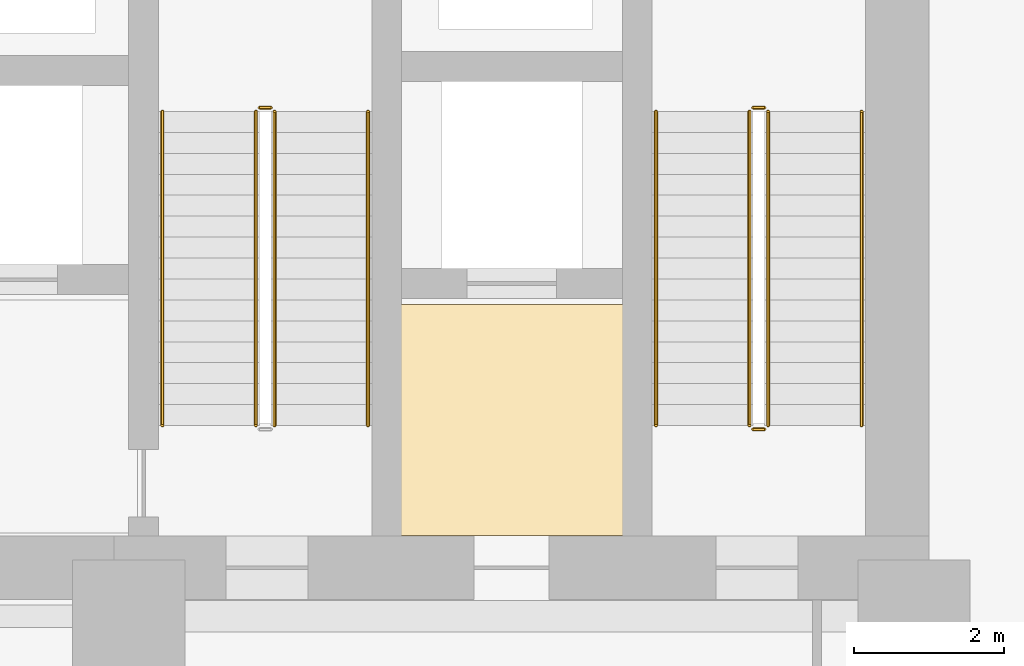
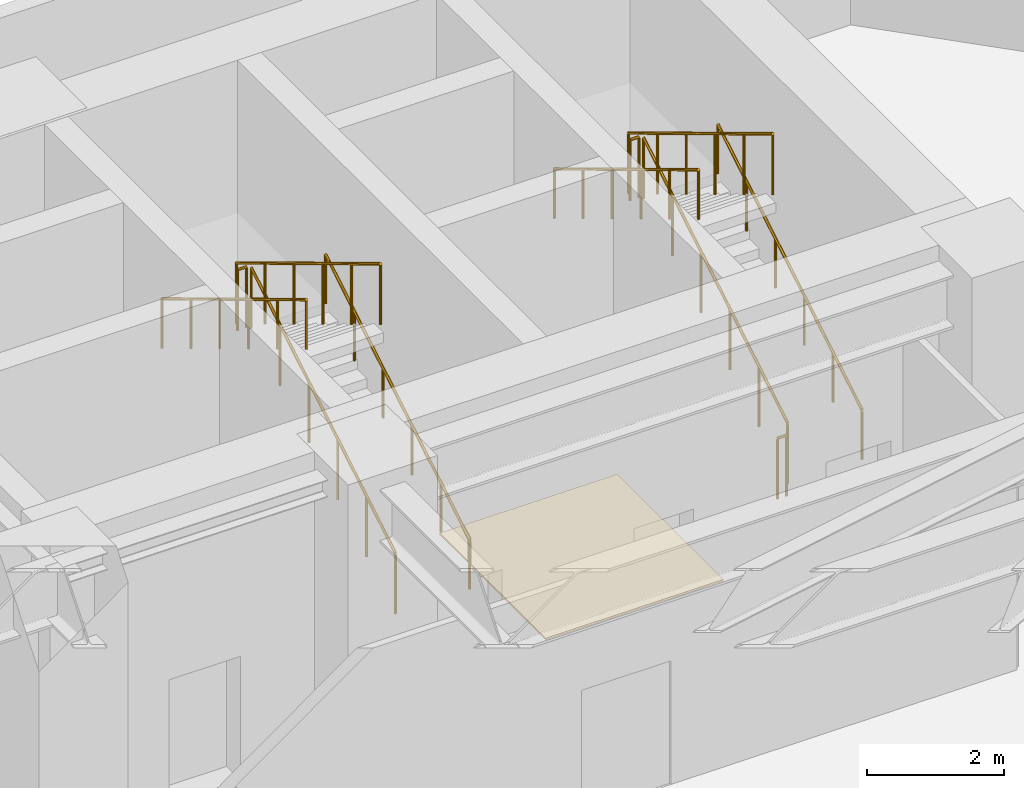
# One storey, part 29 of 29: 11 railings, 1 covering.
"""IFC4 building model written with IfcOpenShell, lengths in metres."""

from ifc_helpers import new_model, si_unit, direction, frame, origin, origin_2d, place, context, subcontext, project, spatial, polyline, circle, outline, extrude, material, layer, layer_set, type_object, element, save


model = new_model("IFC4")

# Units and contexts
model_context = context("Model", 3, precision=1e-05, world=origin(), true_north=direction((0.0, 1.0)))
body_context = subcontext(model_context, "Body", "Model", "MODEL_VIEW")
ifc_project = project(units=[si_unit("LENGTHUNIT", "METRE"), si_unit("AREAUNIT", "SQUARE_METRE"), si_unit("VOLUMEUNIT", "CUBIC_METRE"), si_unit("PLANEANGLEUNIT", "RADIAN"), si_unit("MASSUNIT", "GRAM", prefix="KILO")], contexts=[model_context])

# Site, building, storey
site_placement = place(None, origin())
site = spatial("IfcSite", under=ifc_project, at=site_placement, CompositionType="ELEMENT")
building_placement = place(site_placement, origin())
building = spatial("IfcBuilding", under=site, at=building_placement, Name="Kravanh Interchange Tower", CompositionType="ELEMENT")
storey_placement = place(building_placement, frame((0.0, 0.0, 5.39990234375)))
storey = spatial("IfcBuildingStorey", under=building, at=storey_placement, Name="L01", CompositionType="ELEMENT", Elevation=5.39990234375)

# Covering
ifc_material_1 = material(Name="Cementitious Terrazzo Tile")
ifc_layer_1 = layer(ifc_material_1, 0.030029296875)
ifc_layer_set_1 = layer_set([ifc_layer_1], Name="Honed Terrazzo Lobby Flooring 30mm")
covering_type = type_object("IfcCoveringType", Name="Honed Terrazzo Lobby Flooring 30mm", PredefinedType="FLOORING", material=ifc_layer_set_1)
covering_placement = place(storey_placement, origin())
element("IfcCovering", 1, at=covering_placement, inside=storey, type_object=covering_type, Name="L01 Service Lift Lobby Floor Finish", PredefinedType="FLOORING", context=body_context, shape_type="SweptSolid", body=[
    extrude(outline(polyline([(59.6298828125, 41.52001953125), (62.6201171875, 41.52001953125), (62.6201171875, 38.429931640625), (59.6298828125, 38.429931640625), (59.6298828125, 41.52001953125)])), origin(), (0.0, 0.0, 1.0), 0.030029296875),
])

# Railings
ifc_material_2 = material(Name="Structural Steel S355", Category="steel")
ifc_layer_2 = layer(ifc_material_2, 0.050048828125)
ifc_layer_set_2 = layer_set([ifc_layer_2], Name="Stair Well Guardrail Structural Steel S355 1100mm")
railing_type_1 = type_object("IfcRailingType", Name="Stair Well Guardrail Structural Steel S355 1100mm", PredefinedType="GUARDRAIL", material=ifc_layer_set_2)
railing_1_placement = place(storey_placement, frame((64.550048828125, 39.89990234375, 0.1689453125)))
element("IfcRailing", 2, at=railing_1_placement, inside=storey, type_object=railing_type_1, Name="L01 ST1 stair guard 1", PredefinedType="GUARDRAIL", context=body_context, shape_type="SweptSolid", body=[
    extrude(circle(Radius=0.02392578125, at=origin_2d()), frame((0.0, 0.0, 1.076171875), z_axis=(0.0, 0.856489757249, 0.516164020179), x_axis=(-1.0, 0.0, 0.0)), (0.0, 0.0, 1.0), 4.904052734375),
    extrude(circle(Radius=0.02099609375, at=origin_2d()), origin(), (0.0, 0.0, 1.0), 1.052001953125),
    extrude(circle(Radius=0.02099609375, at=origin_2d()), frame((0.0, 0.840087890625, 0.50634765625)), (0.0, 0.0, 1.0), 1.052001953125),
    extrude(circle(Radius=0.02099609375, at=origin_2d()), frame((0.0, 1.68017578125, 1.012451171875)), (0.0, 0.0, 1.0), 1.052001953125),
    extrude(circle(Radius=0.02099609375, at=origin_2d()), frame((0.0, 2.52001953125, 1.518798828125)), (0.0, 0.0, 1.0), 1.052001953125),
    extrude(circle(Radius=0.02099609375, at=origin_2d()), frame((0.0, 3.360107421875, 2.02490234375)), (0.0, 0.0, 1.0), 1.052001953125),
    extrude(circle(Radius=0.02099609375, at=origin_2d()), frame((0.0, 4.2001953125, 2.53125)), (0.0, 0.0, 1.0), 1.052001953125),
])
railing_2_placement = place(storey_placement, frame((64.5, 44.14990234375, 2.7001953125)))
element("IfcRailing", 3, at=railing_2_placement, inside=storey, type_object=railing_type_1, Name="L01 ST1 stair guard 2", PredefinedType="GUARDRAIL", context=body_context, shape_type="SweptSolid", body=[
    extrude(circle(Radius=0.02392578125, at=origin_2d()), frame((0.0, 0.0, 1.076171875), z_axis=(-1.0, 0.0, 0.0), x_axis=(0.0, -1.0, 0.0)), (0.0, 0.0, 1.0), 0.14990234375),
    extrude(circle(Radius=0.02099609375, at=origin_2d()), origin(), (0.0, 0.0, 1.0), 1.052001953125),
    extrude(circle(Radius=0.02099609375, at=origin_2d()), frame((-0.14990234375, 0.0, 0.0)), (0.0, 0.0, 1.0), 1.052001953125),
])
railing_3_placement = place(storey_placement, frame((64.300048828125, 44.10009765625, 2.868896484375)))
element("IfcRailing", 4, at=railing_3_placement, inside=storey, type_object=railing_type_1, Name="L01 ST1 stair guard 3", PredefinedType="GUARDRAIL", context=body_context, shape_type="SweptSolid", body=[
    extrude(circle(Radius=0.02392578125, at=origin_2d()), frame((0.0, 0.0, 1.076171875), z_axis=(0.0, -0.856489757249, 0.516164020179), x_axis=(1.0, 0.0, 0.0)), (0.0, 0.0, 1.0), 4.904052734375),
    extrude(circle(Radius=0.02099609375, at=origin_2d()), origin(), (0.0, 0.0, 1.0), 1.052001953125),
    extrude(circle(Radius=0.02099609375, at=origin_2d()), frame((0.0, -0.840087890625, 0.50634765625)), (0.0, 0.0, 1.0), 1.052001953125),
    extrude(circle(Radius=0.02099609375, at=origin_2d()), frame((0.0, -1.68017578125, 1.012451171875)), (0.0, 0.0, 1.0), 1.052001953125),
    extrude(circle(Radius=0.02099609375, at=origin_2d()), frame((0.0, -2.52001953125, 1.518798828125)), (0.0, 0.0, 1.0), 1.052001953125),
    extrude(circle(Radius=0.02099609375, at=origin_2d()), frame((0.0, -3.360107421875, 2.02490234375)), (0.0, 0.0, 1.0), 1.052001953125),
    extrude(circle(Radius=0.02099609375, at=origin_2d()), frame((0.0, -4.2001953125, 2.53125)), (0.0, 0.0, 1.0), 1.052001953125),
])
railing_4_placement = place(storey_placement, frame((64.5, 39.85009765625, 0.0)))
element("IfcRailing", 5, at=railing_4_placement, inside=storey, type_object=railing_type_1, Name="L01 ST1 stair guard 4", PredefinedType="GUARDRAIL", context=body_context, shape_type="SweptSolid", body=[
    extrude(circle(Radius=0.02392578125, at=origin_2d()), frame((0.0, 0.0, 1.076171875), z_axis=(-1.0, 0.0, 0.0), x_axis=(0.0, -1.0, 0.0)), (0.0, 0.0, 1.0), 0.14990234375),
    extrude(circle(Radius=0.02099609375, at=origin_2d()), origin(), (0.0, 0.0, 1.0), 1.052001953125),
    extrude(circle(Radius=0.02099609375, at=origin_2d()), frame((-0.14990234375, 0.0, 0.0)), (0.0, 0.0, 1.0), 1.052001953125),
])
railing_5_placement = place(storey_placement, frame((57.949951171875, 39.89990234375, 0.1689453125)))
element("IfcRailing", 6, at=railing_5_placement, inside=storey, type_object=railing_type_1, Name="L01 ST2 stair guard 1", PredefinedType="GUARDRAIL", context=body_context, shape_type="SweptSolid", body=[
    extrude(circle(Radius=0.02392578125, at=origin_2d()), frame((0.0, 0.0, 1.076171875), z_axis=(0.0, 0.856489757249, 0.516164020179), x_axis=(-1.0, 0.0, 0.0)), (0.0, 0.0, 1.0), 4.904052734375),
    extrude(circle(Radius=0.02099609375, at=origin_2d()), origin(), (0.0, 0.0, 1.0), 1.052001953125),
    extrude(circle(Radius=0.02099609375, at=origin_2d()), frame((0.0, 0.840087890625, 0.50634765625)), (0.0, 0.0, 1.0), 1.052001953125),
    extrude(circle(Radius=0.02099609375, at=origin_2d()), frame((0.0, 1.68017578125, 1.012451171875)), (0.0, 0.0, 1.0), 1.052001953125),
    extrude(circle(Radius=0.02099609375, at=origin_2d()), frame((0.0, 2.52001953125, 1.518798828125)), (0.0, 0.0, 1.0), 1.052001953125),
    extrude(circle(Radius=0.02099609375, at=origin_2d()), frame((0.0, 3.360107421875, 2.02490234375)), (0.0, 0.0, 1.0), 1.052001953125),
    extrude(circle(Radius=0.02099609375, at=origin_2d()), frame((0.0, 4.2001953125, 2.53125)), (0.0, 0.0, 1.0), 1.052001953125),
])
railing_6_placement = place(storey_placement, frame((57.89990234375, 44.14990234375, 2.7001953125)))
element("IfcRailing", 7, at=railing_6_placement, inside=storey, type_object=railing_type_1, Name="L01 ST2 stair guard 2", PredefinedType="GUARDRAIL", context=body_context, shape_type="SweptSolid", body=[
    extrude(circle(Radius=0.02392578125, at=origin_2d()), frame((0.0, 0.0, 1.076171875), z_axis=(-1.0, 0.0, 0.0), x_axis=(0.0, -1.0, 0.0)), (0.0, 0.0, 1.0), 0.14990234375),
    extrude(circle(Radius=0.02099609375, at=origin_2d()), origin(), (0.0, 0.0, 1.0), 1.052001953125),
    extrude(circle(Radius=0.02099609375, at=origin_2d()), frame((-0.14990234375, 0.0, 0.0)), (0.0, 0.0, 1.0), 1.052001953125),
])
railing_7_placement = place(storey_placement, frame((57.699951171875, 44.10009765625, 2.868896484375)))
element("IfcRailing", 8, at=railing_7_placement, inside=storey, type_object=railing_type_1, Name="L01 ST2 stair guard 3", PredefinedType="GUARDRAIL", context=body_context, shape_type="SweptSolid", body=[
    extrude(circle(Radius=0.02392578125, at=origin_2d()), frame((0.0, 0.0, 1.076171875), z_axis=(0.0, -0.856489757249, 0.516164020179), x_axis=(1.0, 0.0, 0.0)), (0.0, 0.0, 1.0), 4.904052734375),
    extrude(circle(Radius=0.02099609375, at=origin_2d()), origin(), (0.0, 0.0, 1.0), 1.052001953125),
    extrude(circle(Radius=0.02099609375, at=origin_2d()), frame((0.0, -0.840087890625, 0.50634765625)), (0.0, 0.0, 1.0), 1.052001953125),
    extrude(circle(Radius=0.02099609375, at=origin_2d()), frame((0.0, -1.68017578125, 1.012451171875)), (0.0, 0.0, 1.0), 1.052001953125),
    extrude(circle(Radius=0.02099609375, at=origin_2d()), frame((0.0, -2.52001953125, 1.518798828125)), (0.0, 0.0, 1.0), 1.052001953125),
    extrude(circle(Radius=0.02099609375, at=origin_2d()), frame((0.0, -3.360107421875, 2.02490234375)), (0.0, 0.0, 1.0), 1.052001953125),
    extrude(circle(Radius=0.02099609375, at=origin_2d()), frame((0.0, -4.2001953125, 2.53125)), (0.0, 0.0, 1.0), 1.052001953125),
])
ifc_material_3 = material(Name="Stainless Steel 304", Category="steel")
ifc_layer_3 = layer(ifc_material_3, 0.044921875)
ifc_layer_set_3 = layer_set([ifc_layer_3], Name="Tubular Stair Handrail Stainless 304 900mm")
railing_type_2 = type_object("IfcRailingType", Name="Tubular Stair Handrail Stainless 304 900mm", PredefinedType="HANDRAIL", material=ifc_layer_set_3)
railing_8_placement = place(storey_placement, frame((65.800048828125, 39.89990234375, 0.1689453125)))
element("IfcRailing", 9, at=railing_8_placement, inside=storey, type_object=railing_type_2, Name="L01 ST1 stair handrail 1", PredefinedType="HANDRAIL", context=body_context, shape_type="SweptSolid", body=[
    extrude(circle(Radius=0.02392578125, at=origin_2d()), frame((0.0, 0.0, 0.8759765625), z_axis=(0.0, 0.856489757249, 0.516164020179), x_axis=(-1.0, 0.0, 0.0)), (0.0, 0.0, 1.0), 4.904052734375),
    extrude(circle(Radius=0.02099609375, at=origin_2d()), origin(), (0.0, 0.0, 1.0), 0.851806640625),
    extrude(circle(Radius=0.02099609375, at=origin_2d()), frame((0.0, 0.840087890625, 0.50634765625)), (0.0, 0.0, 1.0), 0.851806640625),
    extrude(circle(Radius=0.02099609375, at=origin_2d()), frame((0.0, 1.68017578125, 1.012451171875)), (0.0, 0.0, 1.0), 0.851806640625),
    extrude(circle(Radius=0.02099609375, at=origin_2d()), frame((0.0, 2.52001953125, 1.518798828125)), (0.0, 0.0, 1.0), 0.851806640625),
    extrude(circle(Radius=0.02099609375, at=origin_2d()), frame((0.0, 3.360107421875, 2.02490234375)), (0.0, 0.0, 1.0), 0.851806640625),
    extrude(circle(Radius=0.02099609375, at=origin_2d()), frame((0.0, 4.2001953125, 2.53125)), (0.0, 0.0, 1.0), 0.851806640625),
])
railing_9_placement = place(storey_placement, frame((63.050048828125, 44.10009765625, 2.868896484375)))
element("IfcRailing", 10, at=railing_9_placement, inside=storey, type_object=railing_type_2, Name="L01 ST1 stair handrail 2", PredefinedType="HANDRAIL", context=body_context, shape_type="SweptSolid", body=[
    extrude(circle(Radius=0.02392578125, at=origin_2d()), frame((0.0, 0.0, 0.8759765625), z_axis=(0.0, -0.856489757249, 0.516164020179), x_axis=(1.0, 0.0, 0.0)), (0.0, 0.0, 1.0), 4.904052734375),
    extrude(circle(Radius=0.02099609375, at=origin_2d()), origin(), (0.0, 0.0, 1.0), 0.851806640625),
    extrude(circle(Radius=0.02099609375, at=origin_2d()), frame((0.0, -0.840087890625, 0.50634765625)), (0.0, 0.0, 1.0), 0.851806640625),
    extrude(circle(Radius=0.02099609375, at=origin_2d()), frame((0.0, -1.68017578125, 1.012451171875)), (0.0, 0.0, 1.0), 0.851806640625),
    extrude(circle(Radius=0.02099609375, at=origin_2d()), frame((0.0, -2.52001953125, 1.518798828125)), (0.0, 0.0, 1.0), 0.851806640625),
    extrude(circle(Radius=0.02099609375, at=origin_2d()), frame((0.0, -3.360107421875, 2.02490234375)), (0.0, 0.0, 1.0), 0.851806640625),
    extrude(circle(Radius=0.02099609375, at=origin_2d()), frame((0.0, -4.2001953125, 2.53125)), (0.0, 0.0, 1.0), 0.851806640625),
])
railing_10_placement = place(storey_placement, frame((59.199951171875, 39.89990234375, 0.1689453125)))
element("IfcRailing", 11, at=railing_10_placement, inside=storey, type_object=railing_type_2, Name="L01 ST2 stair handrail 1", PredefinedType="HANDRAIL", context=body_context, shape_type="SweptSolid", body=[
    extrude(circle(Radius=0.02392578125, at=origin_2d()), frame((0.0, 0.0, 0.8759765625), z_axis=(0.0, 0.856489757249, 0.516164020179), x_axis=(-1.0, 0.0, 0.0)), (0.0, 0.0, 1.0), 4.904052734375),
    extrude(circle(Radius=0.02099609375, at=origin_2d()), origin(), (0.0, 0.0, 1.0), 0.851806640625),
    extrude(circle(Radius=0.02099609375, at=origin_2d()), frame((0.0, 0.840087890625, 0.50634765625)), (0.0, 0.0, 1.0), 0.851806640625),
    extrude(circle(Radius=0.02099609375, at=origin_2d()), frame((0.0, 1.68017578125, 1.012451171875)), (0.0, 0.0, 1.0), 0.851806640625),
    extrude(circle(Radius=0.02099609375, at=origin_2d()), frame((0.0, 2.52001953125, 1.518798828125)), (0.0, 0.0, 1.0), 0.851806640625),
    extrude(circle(Radius=0.02099609375, at=origin_2d()), frame((0.0, 3.360107421875, 2.02490234375)), (0.0, 0.0, 1.0), 0.851806640625),
    extrude(circle(Radius=0.02099609375, at=origin_2d()), frame((0.0, 4.2001953125, 2.53125)), (0.0, 0.0, 1.0), 0.851806640625),
])
railing_11_placement = place(storey_placement, frame((56.449951171875, 44.10009765625, 2.868896484375)))
element("IfcRailing", 12, at=railing_11_placement, inside=storey, type_object=railing_type_2, Name="L01 ST2 stair handrail 2", PredefinedType="HANDRAIL", context=body_context, shape_type="SweptSolid", body=[
    extrude(circle(Radius=0.02392578125, at=origin_2d()), frame((0.0, 0.0, 0.8759765625), z_axis=(0.0, -0.856489757249, 0.516164020179), x_axis=(1.0, 0.0, 0.0)), (0.0, 0.0, 1.0), 4.904052734375),
    extrude(circle(Radius=0.02099609375, at=origin_2d()), origin(), (0.0, 0.0, 1.0), 0.851806640625),
    extrude(circle(Radius=0.02099609375, at=origin_2d()), frame((0.0, -0.840087890625, 0.50634765625)), (0.0, 0.0, 1.0), 0.851806640625),
    extrude(circle(Radius=0.02099609375, at=origin_2d()), frame((0.0, -1.68017578125, 1.012451171875)), (0.0, 0.0, 1.0), 0.851806640625),
    extrude(circle(Radius=0.02099609375, at=origin_2d()), frame((0.0, -2.52001953125, 1.518798828125)), (0.0, 0.0, 1.0), 0.851806640625),
    extrude(circle(Radius=0.02099609375, at=origin_2d()), frame((0.0, -3.360107421875, 2.02490234375)), (0.0, 0.0, 1.0), 0.851806640625),
    extrude(circle(Radius=0.02099609375, at=origin_2d()), frame((0.0, -4.2001953125, 2.53125)), (0.0, 0.0, 1.0), 0.851806640625),
])

save(model, "model.ifc")
